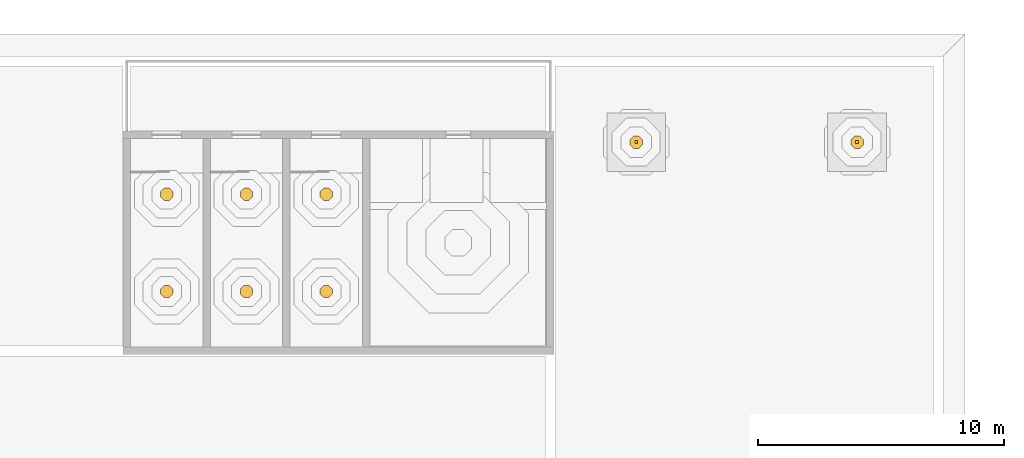
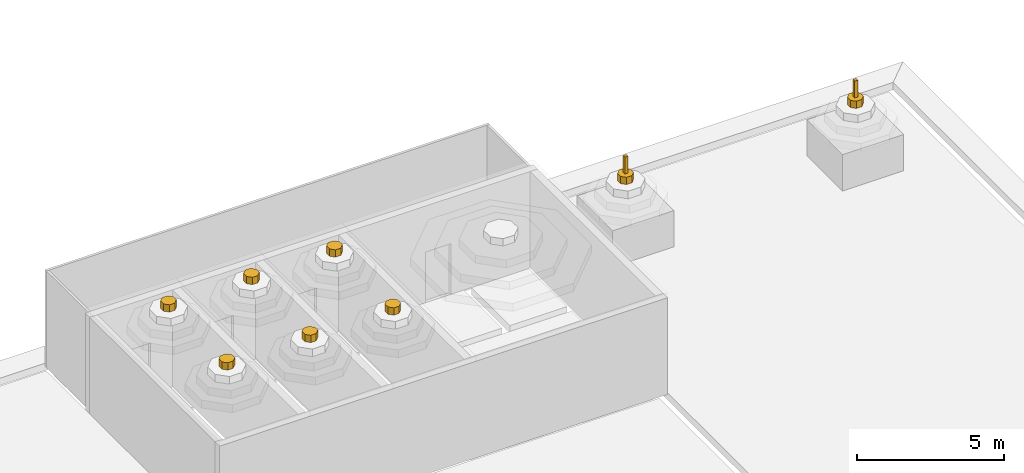
# One storey, part 63 of 63: 10 coverings.
"""IFC4 building model written with IfcOpenShell, lengths in metres."""

from ifc_helpers import new_model, si_unit, direction, frame, origin, origin_2d, place, context, subcontext, project, spatial, polyline, rectangle, outline, extrude, material, layer, layer_set, type_object, element, save


model = new_model("IFC4")

# Units and contexts
model_context = context("Model", 3, precision=1e-05, world=origin(), true_north=direction((0.0, 1.0)))
body_context = subcontext(model_context, "Body", "Model", "MODEL_VIEW")
ifc_project = project(units=[si_unit("LENGTHUNIT", "METRE"), si_unit("AREAUNIT", "SQUARE_METRE"), si_unit("VOLUMEUNIT", "CUBIC_METRE"), si_unit("PLANEANGLEUNIT", "RADIAN"), si_unit("MASSUNIT", "GRAM", prefix="KILO")], contexts=[model_context])

# Site, building, storey
site_placement = place(None, origin())
site = spatial("IfcSite", under=ifc_project, at=site_placement, CompositionType="ELEMENT")
building_placement = place(site_placement, origin())
building = spatial("IfcBuilding", under=site, at=building_placement, Name="Noorbagh Ring Tower", CompositionType="ELEMENT")
storey_placement = place(building_placement, frame((0.0, 0.0, 25.0)))
storey = spatial("IfcBuildingStorey", under=building, at=storey_placement, Name="L04", CompositionType="ELEMENT", Elevation=25.0)

# Coverings
ifc_material_1 = material(Name="Cream sandstone dome cladding", Category="masonry")
ifc_layer = layer(ifc_material_1, 0.300048828125)
ifc_layer_set = layer_set([ifc_layer], Name="Cream sandstone dome cladding")
covering_type_1 = type_object("IfcCoveringType", Name="STH-DOME", PredefinedType="ROOFING", material=ifc_layer_set)
covering_1_placement = place(storey_placement, frame((0.0, 0.0, 5.159912109375)))
element("IfcCovering", 1, at=covering_1_placement, inside=storey, type_object=covering_type_1, Name="Dome over the stair head", PredefinedType="ROOFING", context=body_context, shape_type="SweptSolid", body=[
    extrude(outline(polyline([(-126.375, 21.523681640625), (-126.521484375, 21.670166015625), (-126.728515625, 21.670166015625), (-126.875, 21.523681640625), (-126.875, 21.31640625), (-126.728515625, 21.169921875), (-126.521484375, 21.169921875), (-126.375, 21.31640625), (-126.375, 21.523681640625)])), origin(), (0.0, 0.0, 1.0), 0.300048828125),
])
covering_2_placement = place(storey_placement, frame((0.0, 0.0, 5.159912109375)))
element("IfcCovering", 2, at=covering_2_placement, inside=storey, type_object=covering_type_1, Name="Dome over the stair head", PredefinedType="ROOFING", context=body_context, shape_type="SweptSolid", body=[
    extrude(outline(polyline([(-126.375, 25.483642578125), (-126.521484375, 25.630126953125), (-126.728515625, 25.630126953125), (-126.875, 25.483642578125), (-126.875, 25.2763671875), (-126.728515625, 25.1298828125), (-126.521484375, 25.1298828125), (-126.375, 25.2763671875), (-126.375, 25.483642578125)])), origin(), (0.0, 0.0, 1.0), 0.300048828125),
])
covering_3_placement = place(storey_placement, frame((0.0, 0.0, 5.159912109375)))
element("IfcCovering", 3, at=covering_3_placement, inside=storey, type_object=covering_type_1, Name="Dome over the stair head", PredefinedType="ROOFING", context=body_context, shape_type="SweptSolid", body=[
    extrude(outline(polyline([(-123.125, 21.523681640625), (-123.271484375, 21.670166015625), (-123.478515625, 21.670166015625), (-123.625, 21.523681640625), (-123.625, 21.31640625), (-123.478515625, 21.169921875), (-123.271484375, 21.169921875), (-123.125, 21.31640625), (-123.125, 21.523681640625)])), origin(), (0.0, 0.0, 1.0), 0.300048828125),
])
covering_4_placement = place(storey_placement, frame((0.0, 0.0, 5.159912109375)))
element("IfcCovering", 4, at=covering_4_placement, inside=storey, type_object=covering_type_1, Name="Dome over the stair head", PredefinedType="ROOFING", context=body_context, shape_type="SweptSolid", body=[
    extrude(outline(polyline([(-123.125, 25.483642578125), (-123.271484375, 25.630126953125), (-123.478515625, 25.630126953125), (-123.625, 25.483642578125), (-123.625, 25.2763671875), (-123.478515625, 25.1298828125), (-123.271484375, 25.1298828125), (-123.125, 25.2763671875), (-123.125, 25.483642578125)])), origin(), (0.0, 0.0, 1.0), 0.300048828125),
])
covering_5_placement = place(storey_placement, frame((0.0, 0.0, 5.159912109375)))
element("IfcCovering", 5, at=covering_5_placement, inside=storey, type_object=covering_type_1, Name="Dome over the stair head", PredefinedType="ROOFING", context=body_context, shape_type="SweptSolid", body=[
    extrude(outline(polyline([(-119.875, 21.523681640625), (-120.021484375, 21.670166015625), (-120.228515625, 21.670166015625), (-120.375, 21.523681640625), (-120.375, 21.31640625), (-120.228515625, 21.169921875), (-120.021484375, 21.169921875), (-119.875, 21.31640625), (-119.875, 21.523681640625)])), origin(), (0.0, 0.0, 1.0), 0.300048828125),
])
covering_6_placement = place(storey_placement, frame((0.0, 0.0, 5.159912109375)))
element("IfcCovering", 6, at=covering_6_placement, inside=storey, type_object=covering_type_1, Name="Dome over the stair head", PredefinedType="ROOFING", context=body_context, shape_type="SweptSolid", body=[
    extrude(outline(polyline([(-119.875, 25.483642578125), (-120.021484375, 25.630126953125), (-120.228515625, 25.630126953125), (-120.375, 25.483642578125), (-120.375, 25.2763671875), (-120.228515625, 25.1298828125), (-120.021484375, 25.1298828125), (-119.875, 25.2763671875), (-119.875, 25.483642578125)])), origin(), (0.0, 0.0, 1.0), 0.300048828125),
])
covering_7_placement = place(storey_placement, frame((0.0, 0.0, 2.4599609375)))
element("IfcCovering", 7, at=covering_7_placement, inside=storey, type_object=covering_type_1, Name="Dome over the stair head", PredefinedType="ROOFING", context=body_context, shape_type="SweptSolid", body=[
    extrude(outline(polyline([(-98.24560546875, 27.60546875), (-98.39453125, 27.75439453125), (-98.60546875, 27.75439453125), (-98.75439453125, 27.60546875), (-98.75439453125, 27.39453125), (-98.60546875, 27.24560546875), (-98.39453125, 27.24560546875), (-98.24560546875, 27.39453125), (-98.24560546875, 27.60546875)])), origin(), (0.0, 0.0, 1.0), 0.300048828125),
])
covering_8_placement = place(storey_placement, frame((0.0, 0.0, 2.4599609375)))
element("IfcCovering", 8, at=covering_8_placement, inside=storey, type_object=covering_type_1, Name="Dome over the stair head", PredefinedType="ROOFING", context=body_context, shape_type="SweptSolid", body=[
    extrude(outline(polyline([(-107.24560546875, 27.60546875), (-107.39453125, 27.75439453125), (-107.60546875, 27.75439453125), (-107.75439453125, 27.60546875), (-107.75439453125, 27.39453125), (-107.60546875, 27.24560546875), (-107.39453125, 27.24560546875), (-107.24560546875, 27.39453125), (-107.24560546875, 27.60546875)])), origin(), (0.0, 0.0, 1.0), 0.300048828125),
])
ifc_material_2 = material(Name="Brass finial")
covering_type_2 = type_object("IfcCoveringType", Name="STH-FINIAL", PredefinedType="ROOFING", material=ifc_material_2)
for number, where, z_axis, x_axis, name in (
    (9, (-98.5, 27.5, 2.76025390625), (0.0, 0.0, 1.0), (1.0, 0.0, 0.0), "Dome finial"),
    (10, (-107.5, 27.5, 2.76025390625), (0.0, 0.0, 1.0), (1.0, 0.0, 0.0), "Dome finial"),
):
    element("IfcCovering", number, at=place(storey_placement, frame(where, z_axis=z_axis, x_axis=x_axis)), inside=storey, type_object=covering_type_2, Name=name, PredefinedType="ROOFING", context=body_context, shape_type="SweptSolid", body=[
        extrude(rectangle(XDim=0.1201171875, YDim=0.1201171875, at=origin_2d()), origin(), (0.0, 0.0, 1.0), 0.699951171875),
    ])

save(model, "model.ifc")
